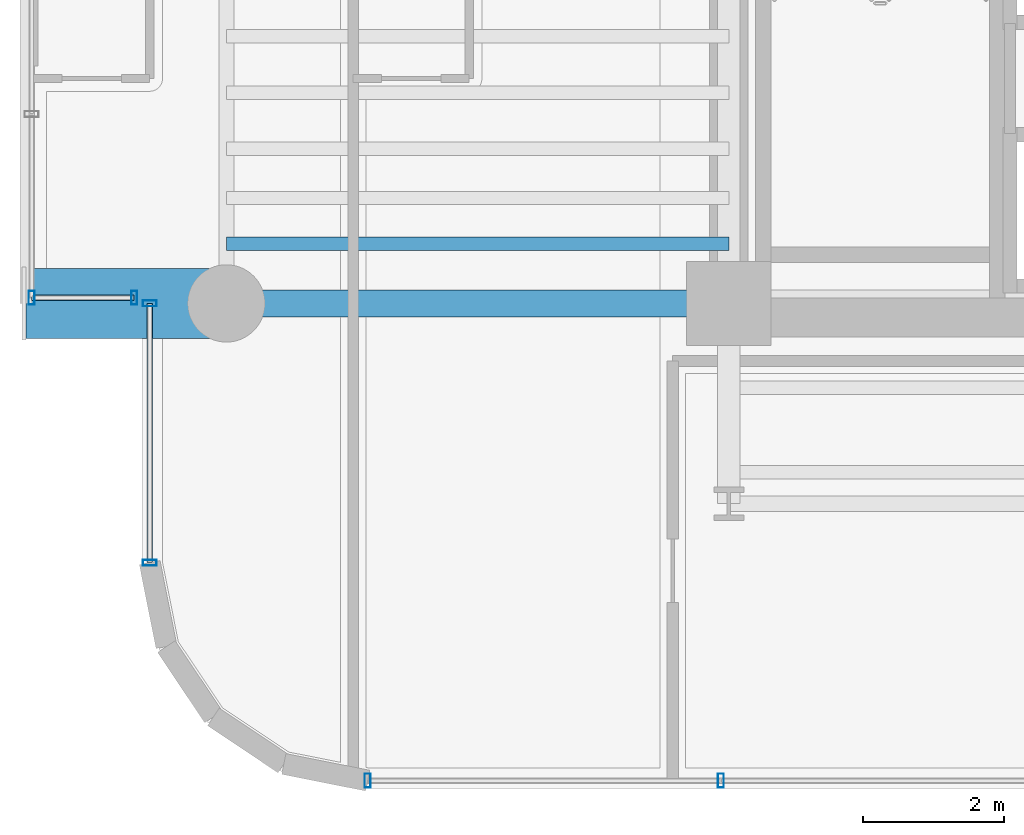
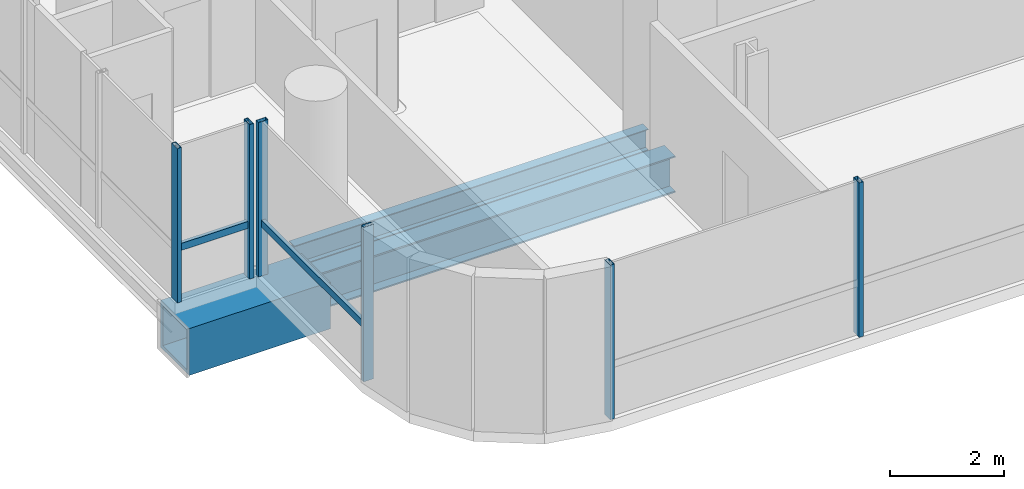
# One storey, part 2 of 35: 8 members, 3 beams, 3 elements without a shape of their own.
"""IFC4 building model written with IfcOpenShell, lengths in metres."""

from ifc_helpers import new_model, si_unit, direction, frame, origin, origin_2d, place, context, subcontext, project, spatial, hollow_rectangle, i_section, extrude, source, transform, mapped, material, material_profile, profile_set, type_object, element, aggregate, save


model = new_model("IFC4")

# Units and contexts
model_context = context("Model", 3, precision=1e-05, world=origin(), true_north=direction((0.0, 1.0)))
body_context = subcontext(model_context, "Body", "Model", "MODEL_VIEW")
ifc_project = project(units=[si_unit("LENGTHUNIT", "METRE"), si_unit("AREAUNIT", "SQUARE_METRE"), si_unit("VOLUMEUNIT", "CUBIC_METRE"), si_unit("PLANEANGLEUNIT", "RADIAN"), si_unit("MASSUNIT", "GRAM", prefix="KILO")], contexts=[model_context])

# Site, building, storey
site_placement = place(None, origin())
site = spatial("IfcSite", under=ifc_project, at=site_placement, CompositionType="ELEMENT")
building_placement = place(site_placement, origin())
building = spatial("IfcBuilding", under=site, at=building_placement, Name="Valdorenza Pilgrim Sanctuary Tower", CompositionType="ELEMENT")
storey_placement = place(building_placement, frame((0.0, 0.0, 168.60009765625)))
storey = spatial("IfcBuildingStorey", under=building, at=storey_placement, Name="L43", CompositionType="ELEMENT", Elevation=168.60009765625)

# Beams
ifc_material_1 = material(Name="Steel ASTM A992 Grade 50", Category="steel")
ifc_material_profile_1 = material_profile(ifc_material_1, i_section(OverallWidth=0.382080078125, OverallDepth=0.779052734375, WebThickness=0.01806640625, FlangeThickness=0.030029296875, at=origin_2d()), Name="W30X191")
ifc_profile_set_1 = profile_set([ifc_material_profile_1], Name="Steel ASTM A992 Grade 50")
beam_type_1 = type_object("IfcBeamType", Name="STR-BM-GRD-W30", PredefinedType="BEAM", material=ifc_profile_set_1)
shared_shape_1 = source(origin(), body_context, "Body", "SweptSolid", [
    extrude(i_section(OverallWidth=0.382080078125, OverallDepth=0.779052734375, WebThickness=0.01806640625, FlangeThickness=0.030029296875, at=origin_2d()), origin(), (0.0, 0.0, 1.0), 7.150146484375),
])
beam_1_placement = place(storey_placement, frame((-29.800048828125, -10.60009765625, -0.629638671875), z_axis=(1.0, 0.0, 0.0), x_axis=(0.0, 1.0, 0.0)))
element("IfcBeam", 1, at=beam_1_placement, inside=storey, type_object=beam_type_1, Name="L43 Floor Girder WA-XW-S1", PredefinedType="BEAM", context=body_context, shape_type="MappedRepresentation", body=[
    mapped(shared_shape_1, transform((0.0, 0.0, 0.0), x_axis=(1.0, 0.0, 0.0), y_axis=(0.0, 1.0, 0.0), z_axis=(0.0, 0.0, 1.0), scale=1.0)),
])
ifc_material_profile_2 = material_profile(ifc_material_1, i_section(OverallWidth=0.19091796875, OverallDepth=0.45703125, WebThickness=0.009033203125, FlangeThickness=0.014404296875, at=origin_2d()), Name="W18X50")
ifc_profile_set_2 = profile_set([ifc_material_profile_2], Name="Steel ASTM A992 Grade 50")
beam_type_2 = type_object("IfcBeamType", Name="STR-BM-JST-W18B", PredefinedType="JOIST", material=ifc_profile_set_2)
shared_shape_2 = source(origin(), body_context, "Body", "SweptSolid", [
    extrude(i_section(OverallWidth=0.19091796875, OverallDepth=0.45703125, WebThickness=0.009033203125, FlangeThickness=0.014404296875, at=origin_2d()), origin(), (0.0, 0.0, 1.0), 7.150146484375),
])
beam_2_placement = place(storey_placement, frame((-29.800048828125, -9.75, -0.468505859375), z_axis=(1.0, 0.0, 0.0), x_axis=(0.0, 1.0, 0.0)))
element("IfcBeam", 2, at=beam_2_placement, inside=storey, type_object=beam_type_2, Name="L43 Composite Floor Joist JST-WA-1", PredefinedType="JOIST", context=body_context, shape_type="MappedRepresentation", body=[
    mapped(shared_shape_2, transform((0.0, 0.0, 0.0), x_axis=(1.0, 0.0, 0.0), y_axis=(0.0, 1.0, 0.0), z_axis=(0.0, 0.0, 1.0), scale=1.0)),
])
ifc_material_2 = material(Name="Steel ASTM A572 Grade 42", Category="steel")
ifc_material_profile_3 = material_profile(ifc_material_2, hollow_rectangle(XDim=1.0, YDim=1.0, WallThickness=0.080078125, at=origin_2d()), Name="BOX 1000x1000x80")
ifc_profile_set_3 = profile_set([ifc_material_profile_3], Name="Steel ASTM A572 Grade 42")
beam_type_3 = type_object("IfcBeamType", Name="STR-BM-PROW-CANT", PredefinedType="BEAM", material=ifc_profile_set_3)
shared_shape_3 = source(origin(), body_context, "Body", "SweptSolid", [
    extrude(hollow_rectangle(XDim=1.0, YDim=1.0, WallThickness=0.080078125, at=origin_2d()), origin(), (0.0, 0.0, 1.0), 2.849853515625),
])
beam_3_placement = place(storey_placement, frame((-29.800048828125, -10.60009765625, -0.739990234375), z_axis=(-1.0, 0.0, 0.0), x_axis=(0.0, -1.0, 0.0)))
element("IfcBeam", 3, at=beam_3_placement, inside=storey, type_object=beam_type_3, Name="L43 Glass Box Cantilever Beam BOX-WA-L43-CT-S", PredefinedType="BEAM", context=body_context, shape_type="MappedRepresentation", body=[
    mapped(shared_shape_3, transform((0.0, 0.0, 0.0), x_axis=(1.0, 0.0, 0.0), y_axis=(0.0, 1.0, 0.0), z_axis=(0.0, 0.0, 1.0), scale=1.0)),
])

# Curtain wall, member
ifc_material_3 = material(Name="Curtain-wall IGU glazing", Category="glass")
curtain_wall_type = type_object("IfcCurtainWallType", Name="CW-SYS-02", PredefinedType="NOTDEFINED", material=ifc_material_3)
curtain_wall_1_placement = place(storey_placement, origin())
curtain_wall_1 = element("IfcCurtainWall", 4, at=curtain_wall_1_placement, inside=storey, type_object=curtain_wall_type, Name="L43 Curtain Wall CW-L43-BOX-WA-L43-S", PredefinedType="NOTDEFINED")
ifc_material_4 = material(Name="Anodised aluminium AW-6060", Category="aluminium")
ifc_material_profile_4 = material_profile(ifc_material_4, hollow_rectangle(XDim=0.074951171875, YDim=0.14990234375, WallThickness=0.00390625, at=origin_2d()), Name="ALU-T 150x75x4")
ifc_profile_set_4 = profile_set([ifc_material_profile_4], Name="Anodised aluminium AW-6060")
member_type_1 = type_object("IfcMemberType", Name="CW-TRN-02", PredefinedType="USERDEFINED", material=ifc_profile_set_4)
shared_shape_4 = source(origin(), body_context, "Body", "SweptSolid", [
    extrude(hollow_rectangle(XDim=0.074951171875, YDim=0.14990234375, WallThickness=0.00390625, at=origin_2d()), origin(), (0.0, 0.0, 1.0), 1.4599609375),
])
member_1_placement = place(storey_placement, frame((-31.110107421875, -10.52001953125, 1.119873046875), z_axis=(-1.0, 0.0, 0.0), x_axis=(0.0, -1.0, 0.0)))
member_1 = element("IfcMember", 5, at=member_1_placement, type_object=member_type_1, Name="CW-L43-BOX-WA-L43-S Transom 1", ObjectType="TRANSOM", PredefinedType="USERDEFINED", context=body_context, shape_type="MappedRepresentation", body=[
    mapped(shared_shape_4, transform((0.0, 0.0, 0.0), x_axis=(1.0, 0.0, 0.0), y_axis=(0.0, 1.0, 0.0), z_axis=(0.0, 0.0, 1.0), scale=1.0)),
])

# Curtain wall, members
curtain_wall_2_placement = place(storey_placement, origin())
curtain_wall_2 = element("IfcCurtainWall", 6, at=curtain_wall_2_placement, inside=storey, type_object=curtain_wall_type, Name="L43 Curtain Wall CW-L43-1-1S1", PredefinedType="NOTDEFINED")
shared_shape_5 = source(origin(), body_context, "Body", "SweptSolid", [
    extrude(hollow_rectangle(XDim=0.074951171875, YDim=0.14990234375, WallThickness=0.00390625, at=origin_2d()), origin(), (0.0, 0.0, 1.0), 3.689208984375),
])
member_2_placement = place(storey_placement, frame((-30.889892578125, -14.289306640625, 1.119873046875), z_axis=(0.0, 1.0, 0.0), x_axis=(-1.0, 0.0, 0.0)))
member_2 = element("IfcMember", 7, at=member_2_placement, type_object=member_type_1, Name="CW-L43-1-1S1 Transom 1", ObjectType="TRANSOM", PredefinedType="USERDEFINED", context=body_context, shape_type="MappedRepresentation", body=[
    mapped(shared_shape_5, transform((0.0, 0.0, 0.0), x_axis=(1.0, 0.0, 0.0), y_axis=(0.0, 1.0, 0.0), z_axis=(0.0, 0.0, 1.0), scale=1.0)),
])
ifc_material_profile_5 = material_profile(ifc_material_4, hollow_rectangle(XDim=0.0849609375, YDim=0.199951171875, WallThickness=0.0048828125, at=origin_2d()), Name="ALU-M 200x85x5")
ifc_profile_set_5 = profile_set([ifc_material_profile_5], Name="Anodised aluminium AW-6060")
member_type_2 = type_object("IfcMemberType", Name="CW-MUL-02", PredefinedType="MULLION", material=ifc_profile_set_5)
shared_shape_6 = source(origin(), body_context, "Body", "SweptSolid", [
    extrude(hollow_rectangle(XDim=0.0849609375, YDim=0.199951171875, WallThickness=0.0048828125, at=origin_2d()), origin(), (0.0, 0.0, 1.0), 3.2998046875),
])
member_3_placement = place(storey_placement, frame((-30.889892578125, -14.289306640625, 0.0), z_axis=(0.0, 0.0, 1.0), x_axis=(0.0, 1.0, 0.0)))
member_3 = element("IfcMember", 8, at=member_3_placement, type_object=member_type_2, Name="CW-L43-1-1S1 Mullion 1", PredefinedType="MULLION", context=body_context, shape_type="MappedRepresentation", body=[
    mapped(shared_shape_6, transform((0.0, 0.0, 0.0), x_axis=(1.0, 0.0, 0.0), y_axis=(0.0, 1.0, 0.0), z_axis=(0.0, 0.0, 1.0), scale=1.0)),
])
member_4_placement = place(storey_placement, frame((-30.889892578125, -10.60009765625, 0.0), z_axis=(0.0, 0.0, 1.0), x_axis=(0.0, 1.0, 0.0)))
member_4 = element("IfcMember", 9, at=member_4_placement, type_object=member_type_2, Name="CW-L43-1-1S1 Mullion 2", PredefinedType="MULLION", context=body_context, shape_type="MappedRepresentation", body=[
    mapped(shared_shape_6, transform((0.0, 0.0, 0.0), x_axis=(1.0, 0.0, 0.0), y_axis=(0.0, 1.0, 0.0), z_axis=(0.0, 0.0, 1.0), scale=1.0)),
])
aggregate(curtain_wall_2, [member_3, member_4, member_2])

curtain_wall_3_placement = place(storey_placement, origin())
curtain_wall_3 = element("IfcCurtainWall", 10, at=curtain_wall_3_placement, inside=storey, type_object=curtain_wall_type, Name="L43 Curtain Wall CW-L43-1-26", PredefinedType="NOTDEFINED")
member_5_placement = place(storey_placement, frame((-22.76318359375, -17.389892578125, 0.0), z_axis=(0.0, 0.0, 1.0), x_axis=(-1.0, 0.0, 0.0)))
member_5 = element("IfcMember", 11, at=member_5_placement, type_object=member_type_2, Name="CW-L43-1-26 Mullion 3", PredefinedType="MULLION", context=body_context, shape_type="MappedRepresentation", body=[
    mapped(shared_shape_6, transform((0.0, 0.0, 0.0), x_axis=(1.0, 0.0, 0.0), y_axis=(0.0, 1.0, 0.0), z_axis=(0.0, 0.0, 1.0), scale=1.0)),
])
member_6_placement = place(storey_placement, frame((-27.789306640625, -17.389892578125, 0.0), z_axis=(0.0, 0.0, 1.0), x_axis=(-1.0, 0.0, 0.0)))
member_6 = element("IfcMember", 12, at=member_6_placement, type_object=member_type_2, Name="CW-L43-1-26 Mullion 4", PredefinedType="MULLION", context=body_context, shape_type="MappedRepresentation", body=[
    mapped(shared_shape_6, transform((0.0, 0.0, 0.0), x_axis=(1.0, 0.0, 0.0), y_axis=(0.0, 1.0, 0.0), z_axis=(0.0, 0.0, 1.0), scale=1.0)),
])
aggregate(curtain_wall_3, [member_5, member_6])

# Member
member_7_placement = place(storey_placement, frame((-31.110107421875, -10.52001953125, 0.0), z_axis=(0.0, 0.0, 1.0), x_axis=(-1.0, 0.0, 0.0)))
member_7 = element("IfcMember", 13, at=member_7_placement, type_object=member_type_2, Name="CW-L43-BOX-WA-L43-S Mullion 1", PredefinedType="MULLION", context=body_context, shape_type="MappedRepresentation", body=[
    mapped(shared_shape_6, transform((0.0, 0.0, 0.0), x_axis=(1.0, 0.0, 0.0), y_axis=(0.0, 1.0, 0.0), z_axis=(0.0, 0.0, 1.0), scale=1.0)),
])

member_8_placement = place(storey_placement, frame((-32.570068359375, -10.52001953125, 0.0), z_axis=(0.0, 0.0, 1.0), x_axis=(-1.0, 0.0, 0.0)))
member_8 = element("IfcMember", 14, at=member_8_placement, type_object=member_type_2, Name="CW-L43-BOX-WA-L43-S Mullion 2", PredefinedType="MULLION", context=body_context, shape_type="MappedRepresentation", body=[
    mapped(shared_shape_6, transform((0.0, 0.0, 0.0), x_axis=(1.0, 0.0, 0.0), y_axis=(0.0, 1.0, 0.0), z_axis=(0.0, 0.0, 1.0), scale=1.0)),
])

aggregate(curtain_wall_1, [member_7, member_8, member_1])

save(model, "model.ifc")
